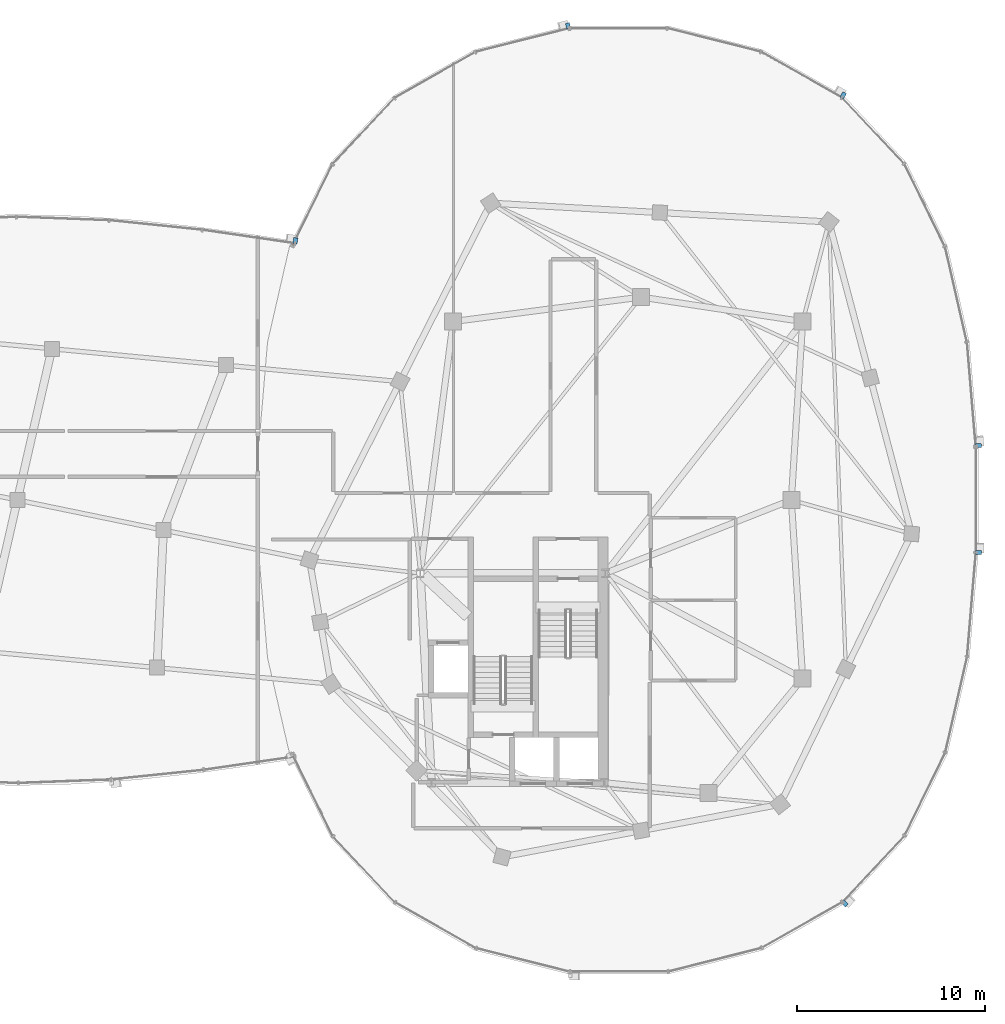
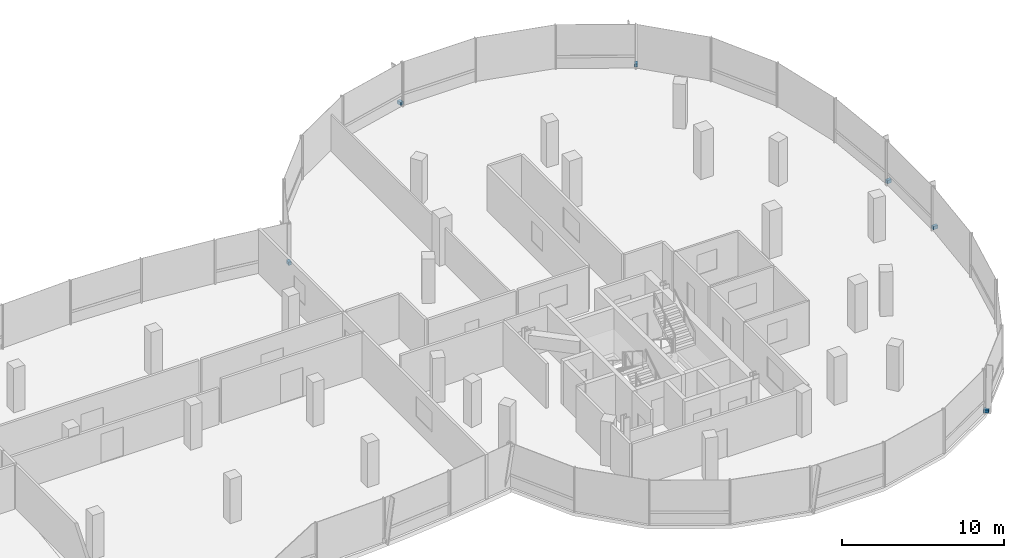
# One storey, part 19 of 25: 6 discrete accessories.
"""IFC4 building model written with IfcOpenShell, lengths in metres."""

from ifc_helpers import new_model, si_unit, direction, frame, origin, origin_2d, place, context, subcontext, project, spatial, rectangle, extrude, material, type_object, element, save


model = new_model("IFC4")

# Units and contexts
model_context = context("Model", 3, precision=1e-05, world=origin(), true_north=direction((0.0, 1.0)))
body_context = subcontext(model_context, "Body", "Model", "MODEL_VIEW")
ifc_project = project(units=[si_unit("LENGTHUNIT", "METRE"), si_unit("AREAUNIT", "SQUARE_METRE"), si_unit("VOLUMEUNIT", "CUBIC_METRE"), si_unit("PLANEANGLEUNIT", "RADIAN"), si_unit("MASSUNIT", "GRAM", prefix="KILO"), si_unit("THERMODYNAMICTEMPERATUREUNIT", "KELVIN"), si_unit("POWERUNIT", "WATT")], contexts=[model_context])

# Site, building, storey
site_placement = place(None, origin())
site = spatial("IfcSite", under=ifc_project, at=site_placement, CompositionType="ELEMENT")
building_placement = place(site_placement, origin())
building = spatial("IfcBuilding", under=site, at=building_placement, Name="Cundina Bronze Exchange", CompositionType="ELEMENT")
storey_placement = place(building_placement, frame((0.0, 0.0, 272.0)))
storey = spatial("IfcBuildingStorey", under=building, at=storey_placement, Name="L72", CompositionType="ELEMENT", Elevation=272.0)

# Discrete accessories
ifc_material = material(Name="Anodised Bronze Aluminium 6063-T6", Category="aluminium")
discrete_accessory_type = type_object("IfcDiscreteAccessoryType", Name="ACC-BRK-FIN", PredefinedType="BRACKET", material=ifc_material)
for number, where, z_axis, x_axis, name in (
    (1, (51.154541015625, 2.897216796875, 0.10009765625), (0.0, 0.0, 1.0), (-0.083747411454, 0.996487015006, 0.0), "L72 Fin Support Bracket 1"),
    (2, (43.958251953125, 21.54150390625, 0.10009765625), (0.0, 0.0, 1.0), (-0.869572506985, 0.493805280547, 0.0), "L72 Fin Support Bracket 5"),
    (3, (29.317626953125, 25.23681640625, 0.10009765625), (0.0, 0.0, 1.0), (-0.969731542251, -0.244173577528, 0.0), "L72 Fin Support Bracket 1"),
    (4, (44.042236328125, -21.4755859375, 0.10009765625), (0.0, 0.0, 1.0), (0.684343512797, 0.72915976061, 0.0), "L72 Fin Support Bracket 1"),
    (5, (51.158935546875, -2.79150390625, 0.10009765625), (0.0, 0.0, 1.0), (0.0, 1.0, 0.0), "L72 Fin Support Bracket 5"),
    (6, (14.799560546875, 13.79736328125, 0.10009765625), (0.0, 0.0, 1.0), (-0.989528308409, 0.144338930496, 0.0), "L72 Fin Support Bracket 1"),
):
    element("IfcDiscreteAccessory", number, at=place(storey_placement, frame(where, z_axis=z_axis, x_axis=x_axis)), inside=storey, type_object=discrete_accessory_type, Name=name, PredefinedType="BRACKET", context=body_context, shape_type="SweptSolid", body=[
        extrude(rectangle(XDim=0.219970703125, YDim=0.320068359375, at=origin_2d()), origin(), (0.0, 0.0, 1.0), 0.239990234375),
    ])

save(model, "model.ifc")
